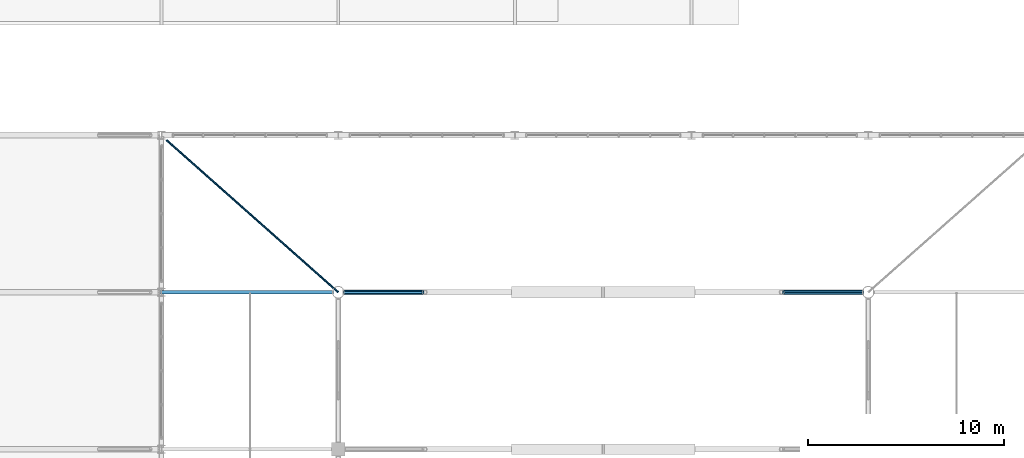
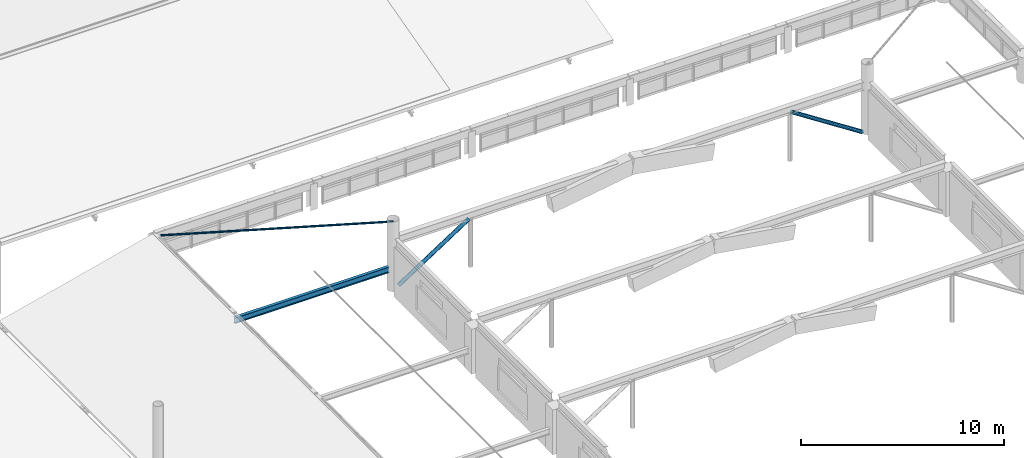
# One storey, part 49 of 128: 3 members, 1 beam.
"""IFC4 building model written with IfcOpenShell, lengths in metres."""

from ifc_helpers import new_model, si_unit, derived_unit, direction, frame, origin, origin_2d, place, context, subcontext, project, spatial, hollow_circle, i_section, extrude, material, material_profile, profile_set, type_object, element, save


model = new_model("IFC4")

# Units and contexts
model_context = context("Model", 3, precision=1e-05, world=origin(), true_north=direction((0.0, 1.0)))
body_context = subcontext(model_context, "Body", "Model", "MODEL_VIEW")
ifc_project = project(units=[si_unit("LENGTHUNIT", "METRE"), si_unit("AREAUNIT", "SQUARE_METRE"), si_unit("VOLUMEUNIT", "CUBIC_METRE"), si_unit("PLANEANGLEUNIT", "RADIAN"), si_unit("MASSUNIT", "GRAM", prefix="KILO"), derived_unit("THERMALTRANSMITTANCEUNIT", [(si_unit("MASSUNIT", "GRAM", prefix="KILO"), 1), (si_unit("TIMEUNIT", "SECOND"), -3), (si_unit("THERMODYNAMICTEMPERATUREUNIT", "KELVIN"), -1)])], contexts=[model_context])

# Site, building, storey
site_placement = place(None, origin())
site = spatial("IfcSite", under=ifc_project, at=site_placement, CompositionType="ELEMENT")
building_placement = place(site_placement, origin())
building = spatial("IfcBuilding", under=site, at=building_placement, Name="Zhenchuan Archway Interchange", CompositionType="ELEMENT")
storey_placement = place(building_placement, frame((0.0, 0.0, 14.39990234375)))
storey = spatial("IfcBuildingStorey", under=building, at=storey_placement, Name="L03", CompositionType="ELEMENT", Elevation=14.39990234375)

# Beam
ifc_material_1 = material(Name="Steel Q355", Category="steel")
ifc_material_profile_1 = material_profile(ifc_material_1, i_section(OverallWidth=0.175048828125, OverallDepth=0.35009765625, WebThickness=0.007080078125, FlangeThickness=0.010986328125, FilletRadius=0.013916015625, at=origin_2d()), Name="HN 350x175")
ifc_profile_set_1 = profile_set([ifc_material_profile_1], Name="Steel Q355")
beam_type = type_object("IfcBeamType", Name="BM_STL_EAVE_HN350", PredefinedType="BEAM", material=ifc_profile_set_1)
beam_placement = place(storey_placement, frame((26.949951171875, 80.0, 1.25), z_axis=(1.0, 0.0, 0.0), x_axis=(0.0, 1.0, 0.0)))
element("IfcBeam", 1, at=beam_placement, inside=storey, type_object=beam_type, Name="Concourse west ring-to-clerestory tie beam 8", PredefinedType="BEAM", context=body_context, shape_type="SweptSolid", body=[
    extrude(i_section(OverallWidth=0.175048828125, OverallDepth=0.35009765625, WebThickness=0.007080078125, FlangeThickness=0.010986328125, FilletRadius=0.013916015625, at=origin_2d()), origin(), (0.0, 0.0, 1.0), 8.800048828125),
])

# Members
ifc_material_2 = material(Name="Steel Q390", Category="steel")
ifc_material_profile_2 = material_profile(ifc_material_2, hollow_circle(Radius=0.056884765625, WallThickness=0.006103515625, at=origin_2d()), Name="CHS 114x6")
ifc_profile_set_2 = profile_set([ifc_material_profile_2], Name="Steel Q390")
member_type_1 = type_object("IfcMemberType", Name="MB_CBL_CHS114", PredefinedType="USERDEFINED", material=ifc_profile_set_2)
member_placement = place(storey_placement, frame((36.0, 80.0, 4.02001953125), z_axis=(-0.732414406249, 0.648709902677, -0.206747671541), x_axis=(-0.663035245296, -0.748588180173, 0.0)))
element("IfcMember", 2, at=member_placement, inside=storey, type_object=member_type_1, Name="CONCOURSE ROOF CABLE hip anchor strand NW1", ObjectType="CABLE", PredefinedType="USERDEFINED", context=body_context, shape_type="SweptSolid", body=[
    extrude(hollow_circle(Radius=0.056884765625, WallThickness=0.006103515625, at=origin_2d()), origin(), (0.0, 0.0, 1.0), 11.94677734375),
])
ifc_material_profile_3 = material_profile(ifc_material_1, hollow_circle(Radius=0.109619140625, WallThickness=0.008056640625, at=origin_2d()), Name="CHS 219x8")
ifc_profile_set_3 = profile_set([ifc_material_profile_3], Name="Steel Q355")
member_type_2 = type_object("IfcMemberType", Name="MB_CHS219", PredefinedType="BRACE", material=ifc_profile_set_3)
for number, where, z_axis, x_axis, name in (
    (3, (36.304931640625, 80.0, 0.075439453125), (0.83893044291, 0.0, 0.544238653496), (0.0, 1.0, 0.0), "ROOF TRUSS concourse arch A6 west spandrel diagonal"),
    (4, (62.695068359375, 80.0, 0.075439453125), (-0.83893044291, 0.0, 0.544238653496), (0.0, -1.0, 0.0), "ROOF TRUSS concourse arch A6 east spandrel diagonal"),
):
    element("IfcMember", number, at=place(storey_placement, frame(where, z_axis=z_axis, x_axis=x_axis)), inside=storey, type_object=member_type_2, Name=name, PredefinedType="BRACE", context=body_context, shape_type="SweptSolid", body=[
        extrude(hollow_circle(Radius=0.109619140625, WallThickness=0.008056640625, at=origin_2d()), origin(), (0.0, 0.0, 1.0), 4.7861328125),
    ])

save(model, "model.ifc")
